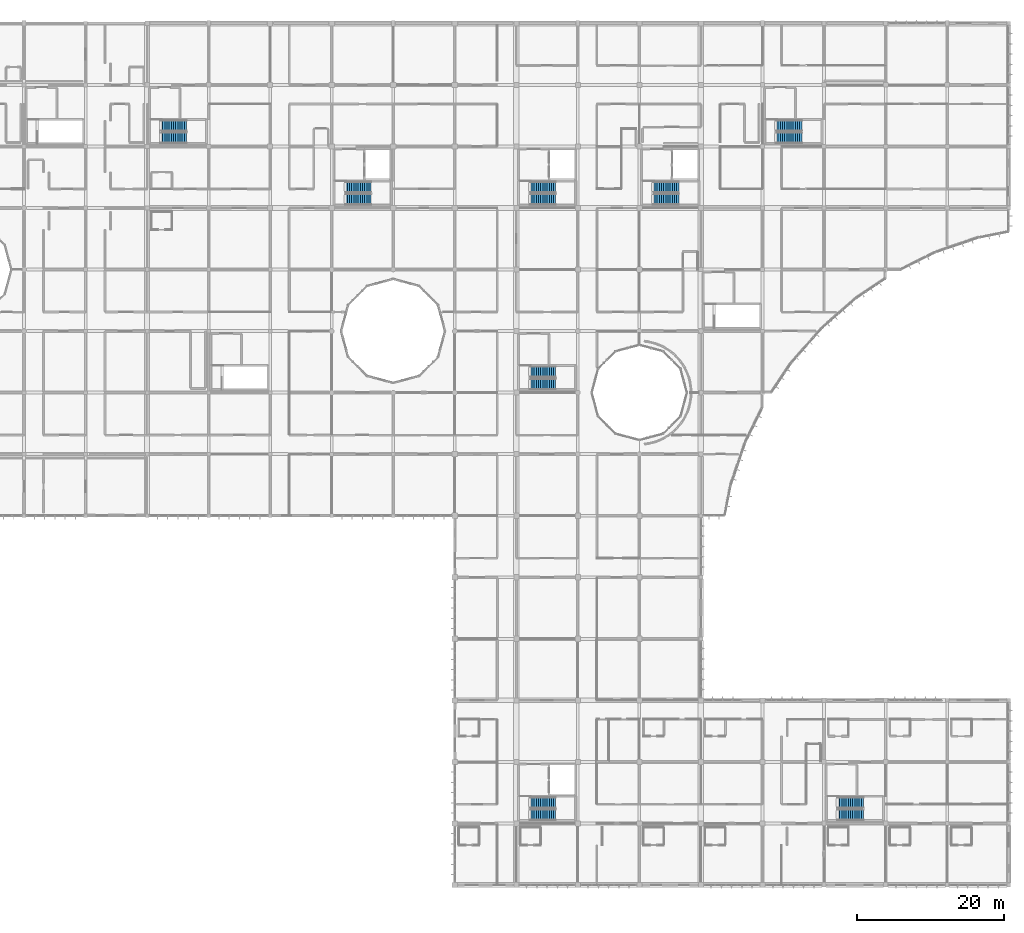
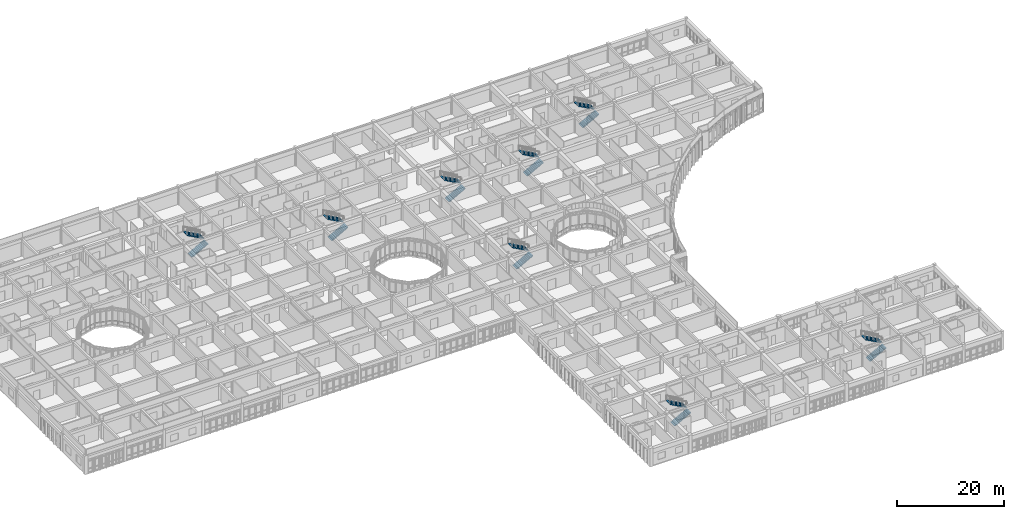
# One storey, part 101 of 119: 16 stair flights, 8 elements without a shape of their own.
"""IFC4 building model written with IfcOpenShell, lengths in metres."""

from ifc_helpers import new_model, si_unit, direction, frame, origin, place, context, subcontext, project, spatial, polyline, outline, extrude, material, type_object, element, aggregate, save


model = new_model("IFC4")

# Units and contexts
model_context = context("Model", 3, precision=1e-05, world=origin(), true_north=direction((0.0, 1.0)))
body_context = subcontext(model_context, "Body", "Model", "MODEL_VIEW")
ifc_project = project(units=[si_unit("LENGTHUNIT", "METRE"), si_unit("AREAUNIT", "SQUARE_METRE"), si_unit("VOLUMEUNIT", "CUBIC_METRE"), si_unit("PLANEANGLEUNIT", "RADIAN"), si_unit("MASSUNIT", "GRAM", prefix="KILO")], contexts=[model_context])

# Site, building, storey
site_placement = place(None, origin())
site = spatial("IfcSite", under=ifc_project, at=site_placement, CompositionType="ELEMENT")
building_placement = place(site_placement, origin())
building = spatial("IfcBuilding", under=site, at=building_placement, Name="Bramfleet General Hospital", CompositionType="ELEMENT")
storey_placement = place(building_placement, frame((0.0, 0.0, 14.39990234375)))
storey = spatial("IfcBuildingStorey", under=building, at=storey_placement, Name="L03", CompositionType="ELEMENT", Elevation=14.39990234375)

# Stair, stair flights
ifc_material = material(Name="Concrete C35/45", Category="concrete")
stair_type = type_object("IfcStairType", Name="STR-T3", PredefinedType="HALF_TURN_STAIR", material=ifc_material)
stair_1_placement = place(storey_placement, origin())
stair_1 = element("IfcStair", 1, at=stair_1_placement, inside=storey, type_object=stair_type, Name="L03 Core C3 (South Ward Wing) Protected Escape Stair", PredefinedType="HALF_TURN_STAIR")
stair_flight_type = type_object("IfcStairFlightType", Name="STF-T3", PredefinedType="STRAIGHT", material=ifc_material)
stair_flight_1_placement = place(storey_placement, frame((102.639892578125, 9.570068359375, 0.0), z_axis=(0.0, 0.0, 1.0), x_axis=(1.0, 0.0, 0.0)))
stair_flight_1 = element("IfcStairFlight", 2, at=stair_flight_1_placement, type_object=stair_flight_type, Name="ST-C3 flight 1", NumberOfRisers=13, NumberOfTreads=12, PredefinedType="STRAIGHT", RiserHeight=0.161538462, TreadLength=0.295, context=body_context, shape_type="SweptSolid", body=[
    extrude(outline(polyline([(0.0, 0.0), (0.0, 0.16162109375), (0.294921875, 0.16162109375), (0.294921875, 0.322998046875), (0.590087890625, 0.322998046875), (0.590087890625, 0.484619140625), (0.885009765625, 0.484619140625), (0.885009765625, 0.646240234375), (1.179931640625, 0.646240234375), (1.179931640625, 0.8076171875), (1.47509765625, 0.8076171875), (1.47509765625, 0.96923828125), (1.77001953125, 0.96923828125), (1.77001953125, 1.130859375), (2.06494140625, 1.130859375), (2.06494140625, 1.292236328125), (2.360107421875, 1.292236328125), (2.360107421875, 1.453857421875), (2.655029296875, 1.453857421875), (2.655029296875, 1.615478515625), (2.949951171875, 1.615478515625), (2.949951171875, 1.77685546875), (3.2451171875, 1.77685546875), (3.2451171875, 1.9384765625), (3.5400390625, 1.9384765625), (3.5400390625, 2.10009765625), (3.5400390625, 1.756103515625), (0.3330078125, 0.0), (0.0, 0.0)])), frame((0.0, 0.75, 0.0), z_axis=(0.0, -1.0, 0.0), x_axis=(1.0, 0.0, 0.0)), (0.0, 0.0, 1.0), 1.5),
])
stair_flight_2_placement = place(storey_placement, frame((106.179931640625, 11.22998046875, 2.10009765625), z_axis=(0.0, 0.0, 1.0), x_axis=(-1.0, 0.0, 0.0)))
stair_flight_2 = element("IfcStairFlight", 3, at=stair_flight_2_placement, type_object=stair_flight_type, Name="ST-C3 flight 2", NumberOfRisers=13, NumberOfTreads=12, PredefinedType="STRAIGHT", RiserHeight=0.161538462, TreadLength=0.295, context=body_context, shape_type="SweptSolid", body=[
    extrude(outline(polyline([(0.0, 0.0), (0.0, 0.16162109375), (0.294921875, 0.16162109375), (0.294921875, 0.322998046875), (0.590087890625, 0.322998046875), (0.590087890625, 0.484619140625), (0.885009765625, 0.484619140625), (0.885009765625, 0.646240234375), (1.179931640625, 0.646240234375), (1.179931640625, 0.8076171875), (1.47509765625, 0.8076171875), (1.47509765625, 0.96923828125), (1.77001953125, 0.96923828125), (1.77001953125, 1.130859375), (2.06494140625, 1.130859375), (2.06494140625, 1.292236328125), (2.360107421875, 1.292236328125), (2.360107421875, 1.453857421875), (2.655029296875, 1.453857421875), (2.655029296875, 1.615478515625), (2.949951171875, 1.615478515625), (2.949951171875, 1.77685546875), (3.2451171875, 1.77685546875), (3.2451171875, 1.9384765625), (3.5400390625, 1.9384765625), (3.5400390625, 2.10009765625), (3.5400390625, 1.756103515625), (0.3330078125, 0.0), (0.0, 0.0)])), frame((0.0, 0.75, 0.0), z_axis=(0.0, -1.0, 0.0), x_axis=(1.0, 0.0, 0.0)), (0.0, 0.0, 1.0), 1.5),
])
aggregate(stair_1, [stair_flight_1, stair_flight_2])

stair_2_placement = place(storey_placement, origin())
stair_2 = element("IfcStair", 4, at=stair_2_placement, inside=storey, type_object=stair_type, Name="L03 Core C4 (Central Spine & Helipad Trauma) Protected Escape Stair", PredefinedType="HALF_TURN_STAIR")
stair_flight_3_placement = place(storey_placement, frame((102.639892578125, 93.570068359375, 0.0), z_axis=(0.0, 0.0, 1.0), x_axis=(1.0, 0.0, 0.0)))
stair_flight_3 = element("IfcStairFlight", 5, at=stair_flight_3_placement, type_object=stair_flight_type, Name="ST-C4 flight 1", NumberOfRisers=13, NumberOfTreads=12, PredefinedType="STRAIGHT", RiserHeight=0.161538462, TreadLength=0.295, context=body_context, shape_type="SweptSolid", body=[
    extrude(outline(polyline([(0.0, 0.0), (0.0, 0.16162109375), (0.294921875, 0.16162109375), (0.294921875, 0.322998046875), (0.590087890625, 0.322998046875), (0.590087890625, 0.484619140625), (0.885009765625, 0.484619140625), (0.885009765625, 0.646240234375), (1.179931640625, 0.646240234375), (1.179931640625, 0.8076171875), (1.47509765625, 0.8076171875), (1.47509765625, 0.96923828125), (1.77001953125, 0.96923828125), (1.77001953125, 1.130859375), (2.06494140625, 1.130859375), (2.06494140625, 1.292236328125), (2.360107421875, 1.292236328125), (2.360107421875, 1.453857421875), (2.655029296875, 1.453857421875), (2.655029296875, 1.615478515625), (2.949951171875, 1.615478515625), (2.949951171875, 1.77685546875), (3.2451171875, 1.77685546875), (3.2451171875, 1.9384765625), (3.5400390625, 1.9384765625), (3.5400390625, 2.10009765625), (3.5400390625, 1.756103515625), (0.3330078125, 0.0), (0.0, 0.0)])), frame((0.0, 0.75, 0.0), z_axis=(0.0, -1.0, 0.0), x_axis=(1.0, 0.0, 0.0)), (0.0, 0.0, 1.0), 1.5),
])
stair_flight_4_placement = place(storey_placement, frame((106.179931640625, 95.22998046875, 2.10009765625), z_axis=(0.0, 0.0, 1.0), x_axis=(-1.0, 0.0, 0.0)))
stair_flight_4 = element("IfcStairFlight", 6, at=stair_flight_4_placement, type_object=stair_flight_type, Name="ST-C4 flight 2", NumberOfRisers=13, NumberOfTreads=12, PredefinedType="STRAIGHT", RiserHeight=0.161538462, TreadLength=0.295, context=body_context, shape_type="SweptSolid", body=[
    extrude(outline(polyline([(0.0, 0.0), (0.0, 0.16162109375), (0.294921875, 0.16162109375), (0.294921875, 0.322998046875), (0.590087890625, 0.322998046875), (0.590087890625, 0.484619140625), (0.885009765625, 0.484619140625), (0.885009765625, 0.646240234375), (1.179931640625, 0.646240234375), (1.179931640625, 0.8076171875), (1.47509765625, 0.8076171875), (1.47509765625, 0.96923828125), (1.77001953125, 0.96923828125), (1.77001953125, 1.130859375), (2.06494140625, 1.130859375), (2.06494140625, 1.292236328125), (2.360107421875, 1.292236328125), (2.360107421875, 1.453857421875), (2.655029296875, 1.453857421875), (2.655029296875, 1.615478515625), (2.949951171875, 1.615478515625), (2.949951171875, 1.77685546875), (3.2451171875, 1.77685546875), (3.2451171875, 1.9384765625), (3.5400390625, 1.9384765625), (3.5400390625, 2.10009765625), (3.5400390625, 1.756103515625), (0.3330078125, 0.0), (0.0, 0.0)])), frame((0.0, 0.75, 0.0), z_axis=(0.0, -1.0, 0.0), x_axis=(1.0, 0.0, 0.0)), (0.0, 0.0, 1.0), 1.5),
])
aggregate(stair_2, [stair_flight_3, stair_flight_4])

stair_3_placement = place(storey_placement, origin())
stair_3 = element("IfcStair", 7, at=stair_3_placement, inside=storey, type_object=stair_type, Name="L03 Core C5 (North-West Ward Wing) Protected Escape Stair", PredefinedType="HALF_TURN_STAIR")
stair_flight_5_placement = place(storey_placement, frame((77.43994140625, 93.570068359375, 0.0), z_axis=(0.0, 0.0, 1.0), x_axis=(1.0, 0.0, 0.0)))
stair_flight_5 = element("IfcStairFlight", 8, at=stair_flight_5_placement, type_object=stair_flight_type, Name="ST-C5 flight 1", NumberOfRisers=13, NumberOfTreads=12, PredefinedType="STRAIGHT", RiserHeight=0.161538462, TreadLength=0.295, context=body_context, shape_type="SweptSolid", body=[
    extrude(outline(polyline([(0.0, 0.0), (0.0, 0.16162109375), (0.294921875, 0.16162109375), (0.294921875, 0.322998046875), (0.590087890625, 0.322998046875), (0.590087890625, 0.484619140625), (0.885009765625, 0.484619140625), (0.885009765625, 0.646240234375), (1.179931640625, 0.646240234375), (1.179931640625, 0.8076171875), (1.47509765625, 0.8076171875), (1.47509765625, 0.96923828125), (1.77001953125, 0.96923828125), (1.77001953125, 1.130859375), (2.06494140625, 1.130859375), (2.06494140625, 1.292236328125), (2.360107421875, 1.292236328125), (2.360107421875, 1.453857421875), (2.655029296875, 1.453857421875), (2.655029296875, 1.615478515625), (2.949951171875, 1.615478515625), (2.949951171875, 1.77685546875), (3.2451171875, 1.77685546875), (3.2451171875, 1.9384765625), (3.5400390625, 1.9384765625), (3.5400390625, 2.10009765625), (3.5400390625, 1.756103515625), (0.3330078125, 0.0), (0.0, 0.0)])), frame((0.0, 0.75, 0.0), z_axis=(0.0, -1.0, 0.0), x_axis=(1.0, 0.0, 0.0)), (0.0, 0.0, 1.0), 1.5),
])
stair_flight_6_placement = place(storey_placement, frame((80.97998046875, 95.22998046875, 2.10009765625), z_axis=(0.0, 0.0, 1.0), x_axis=(-1.0, 0.0, 0.0)))
stair_flight_6 = element("IfcStairFlight", 9, at=stair_flight_6_placement, type_object=stair_flight_type, Name="ST-C5 flight 2", NumberOfRisers=13, NumberOfTreads=12, PredefinedType="STRAIGHT", RiserHeight=0.161538462, TreadLength=0.295, context=body_context, shape_type="SweptSolid", body=[
    extrude(outline(polyline([(0.0, 0.0), (0.0, 0.16162109375), (0.294921875, 0.16162109375), (0.294921875, 0.322998046875), (0.590087890625, 0.322998046875), (0.590087890625, 0.484619140625), (0.885009765625, 0.484619140625), (0.885009765625, 0.646240234375), (1.179931640625, 0.646240234375), (1.179931640625, 0.8076171875), (1.47509765625, 0.8076171875), (1.47509765625, 0.96923828125), (1.77001953125, 0.96923828125), (1.77001953125, 1.130859375), (2.06494140625, 1.130859375), (2.06494140625, 1.292236328125), (2.360107421875, 1.292236328125), (2.360107421875, 1.453857421875), (2.655029296875, 1.453857421875), (2.655029296875, 1.615478515625), (2.949951171875, 1.615478515625), (2.949951171875, 1.77685546875), (3.2451171875, 1.77685546875), (3.2451171875, 1.9384765625), (3.5400390625, 1.9384765625), (3.5400390625, 2.10009765625), (3.5400390625, 1.756103515625), (0.3330078125, 0.0), (0.0, 0.0)])), frame((0.0, 0.75, 0.0), z_axis=(0.0, -1.0, 0.0), x_axis=(1.0, 0.0, 0.0)), (0.0, 0.0, 1.0), 1.5),
])
aggregate(stair_3, [stair_flight_5, stair_flight_6])

stair_4_placement = place(storey_placement, origin())
stair_4 = element("IfcStair", 10, at=stair_4_placement, inside=storey, type_object=stair_type, Name="L03 Core C6 (North-East Ward & Helipad) Protected Escape Stair", PredefinedType="HALF_TURN_STAIR")
stair_flight_7_placement = place(storey_placement, frame((119.43994140625, 93.570068359375, 0.0), z_axis=(0.0, 0.0, 1.0), x_axis=(1.0, 0.0, 0.0)))
stair_flight_7 = element("IfcStairFlight", 11, at=stair_flight_7_placement, type_object=stair_flight_type, Name="ST-C6 flight 1", NumberOfRisers=13, NumberOfTreads=12, PredefinedType="STRAIGHT", RiserHeight=0.161538462, TreadLength=0.295, context=body_context, shape_type="SweptSolid", body=[
    extrude(outline(polyline([(0.0, 0.0), (0.0, 0.16162109375), (0.294921875, 0.16162109375), (0.294921875, 0.322998046875), (0.590087890625, 0.322998046875), (0.590087890625, 0.484619140625), (0.885009765625, 0.484619140625), (0.885009765625, 0.646240234375), (1.179931640625, 0.646240234375), (1.179931640625, 0.8076171875), (1.47509765625, 0.8076171875), (1.47509765625, 0.96923828125), (1.77001953125, 0.96923828125), (1.77001953125, 1.130859375), (2.06494140625, 1.130859375), (2.06494140625, 1.292236328125), (2.360107421875, 1.292236328125), (2.360107421875, 1.453857421875), (2.655029296875, 1.453857421875), (2.655029296875, 1.615478515625), (2.949951171875, 1.615478515625), (2.949951171875, 1.77685546875), (3.2451171875, 1.77685546875), (3.2451171875, 1.9384765625), (3.5400390625, 1.9384765625), (3.5400390625, 2.10009765625), (3.5400390625, 1.756103515625), (0.3330078125, 0.0), (0.0, 0.0)])), frame((0.0, 0.75, 0.0), z_axis=(0.0, -1.0, 0.0), x_axis=(1.0, 0.0, 0.0)), (0.0, 0.0, 1.0), 1.5),
])
stair_flight_8_placement = place(storey_placement, frame((122.97998046875, 95.22998046875, 2.10009765625), z_axis=(0.0, 0.0, 1.0), x_axis=(-1.0, 0.0, 0.0)))
stair_flight_8 = element("IfcStairFlight", 12, at=stair_flight_8_placement, type_object=stair_flight_type, Name="ST-C6 flight 2", NumberOfRisers=13, NumberOfTreads=12, PredefinedType="STRAIGHT", RiserHeight=0.161538462, TreadLength=0.295, context=body_context, shape_type="SweptSolid", body=[
    extrude(outline(polyline([(0.0, 0.0), (0.0, 0.16162109375), (0.294921875, 0.16162109375), (0.294921875, 0.322998046875), (0.590087890625, 0.322998046875), (0.590087890625, 0.484619140625), (0.885009765625, 0.484619140625), (0.885009765625, 0.646240234375), (1.179931640625, 0.646240234375), (1.179931640625, 0.8076171875), (1.47509765625, 0.8076171875), (1.47509765625, 0.96923828125), (1.77001953125, 0.96923828125), (1.77001953125, 1.130859375), (2.06494140625, 1.130859375), (2.06494140625, 1.292236328125), (2.360107421875, 1.292236328125), (2.360107421875, 1.453857421875), (2.655029296875, 1.453857421875), (2.655029296875, 1.615478515625), (2.949951171875, 1.615478515625), (2.949951171875, 1.77685546875), (3.2451171875, 1.77685546875), (3.2451171875, 1.9384765625), (3.5400390625, 1.9384765625), (3.5400390625, 2.10009765625), (3.5400390625, 1.756103515625), (0.3330078125, 0.0), (0.0, 0.0)])), frame((0.0, 0.75, 0.0), z_axis=(0.0, -1.0, 0.0), x_axis=(1.0, 0.0, 0.0)), (0.0, 0.0, 1.0), 1.5),
])
aggregate(stair_4, [stair_flight_7, stair_flight_8])

stair_5_placement = place(storey_placement, origin())
stair_5 = element("IfcStair", 13, at=stair_5_placement, inside=storey, type_object=stair_type, Name="L03 Core C9 (North-East Ward & Diagnostic Escape) Protected Escape Stair", PredefinedType="HALF_TURN_STAIR")
stair_flight_9_placement = place(storey_placement, frame((136.239990234375, 101.969970703125, 0.0), z_axis=(0.0, 0.0, 1.0), x_axis=(1.0, 0.0, 0.0)))
stair_flight_9 = element("IfcStairFlight", 14, at=stair_flight_9_placement, type_object=stair_flight_type, Name="ST-C9 flight 1", NumberOfRisers=13, NumberOfTreads=12, PredefinedType="STRAIGHT", RiserHeight=0.161538462, TreadLength=0.295, context=body_context, shape_type="SweptSolid", body=[
    extrude(outline(polyline([(0.0, 0.0), (0.0, 0.16162109375), (0.294921875, 0.16162109375), (0.294921875, 0.322998046875), (0.590087890625, 0.322998046875), (0.590087890625, 0.484619140625), (0.885009765625, 0.484619140625), (0.885009765625, 0.646240234375), (1.179931640625, 0.646240234375), (1.179931640625, 0.8076171875), (1.47509765625, 0.8076171875), (1.47509765625, 0.96923828125), (1.77001953125, 0.96923828125), (1.77001953125, 1.130859375), (2.06494140625, 1.130859375), (2.06494140625, 1.292236328125), (2.360107421875, 1.292236328125), (2.360107421875, 1.453857421875), (2.655029296875, 1.453857421875), (2.655029296875, 1.615478515625), (2.949951171875, 1.615478515625), (2.949951171875, 1.77685546875), (3.2451171875, 1.77685546875), (3.2451171875, 1.9384765625), (3.5400390625, 1.9384765625), (3.5400390625, 2.10009765625), (3.5400390625, 1.756103515625), (0.3330078125, 0.0), (0.0, 0.0)])), frame((0.0, 0.75, 0.0), z_axis=(0.0, -1.0, 0.0), x_axis=(1.0, 0.0, 0.0)), (0.0, 0.0, 1.0), 1.5),
])
stair_flight_10_placement = place(storey_placement, frame((139.780029296875, 103.6298828125, 2.10009765625), z_axis=(0.0, 0.0, 1.0), x_axis=(-1.0, 0.0, 0.0)))
stair_flight_10 = element("IfcStairFlight", 15, at=stair_flight_10_placement, type_object=stair_flight_type, Name="ST-C9 flight 2", NumberOfRisers=13, NumberOfTreads=12, PredefinedType="STRAIGHT", RiserHeight=0.161538462, TreadLength=0.295, context=body_context, shape_type="SweptSolid", body=[
    extrude(outline(polyline([(0.0, 0.0), (0.0, 0.16162109375), (0.294921875, 0.16162109375), (0.294921875, 0.322998046875), (0.590087890625, 0.322998046875), (0.590087890625, 0.484619140625), (0.885009765625, 0.484619140625), (0.885009765625, 0.646240234375), (1.179931640625, 0.646240234375), (1.179931640625, 0.8076171875), (1.47509765625, 0.8076171875), (1.47509765625, 0.96923828125), (1.77001953125, 0.96923828125), (1.77001953125, 1.130859375), (2.06494140625, 1.130859375), (2.06494140625, 1.292236328125), (2.360107421875, 1.292236328125), (2.360107421875, 1.453857421875), (2.655029296875, 1.453857421875), (2.655029296875, 1.615478515625), (2.949951171875, 1.615478515625), (2.949951171875, 1.77685546875), (3.2451171875, 1.77685546875), (3.2451171875, 1.9384765625), (3.5400390625, 1.9384765625), (3.5400390625, 2.10009765625), (3.5400390625, 1.756103515625), (0.3330078125, 0.0), (0.0, 0.0)])), frame((0.0, 0.75, 0.0), z_axis=(0.0, -1.0, 0.0), x_axis=(1.0, 0.0, 0.0)), (0.0, 0.0, 1.0), 1.5),
])
aggregate(stair_5, [stair_flight_9, stair_flight_10])

stair_6_placement = place(storey_placement, origin())
stair_6 = element("IfcStair", 16, at=stair_6_placement, inside=storey, type_object=stair_type, Name="L03 Core C10 (South-East Clinic & Ward Escape) Protected Escape Stair", PredefinedType="HALF_TURN_STAIR")
stair_flight_11_placement = place(storey_placement, frame((144.639892578125, 9.570068359375, 0.0), z_axis=(0.0, 0.0, 1.0), x_axis=(1.0, 0.0, 0.0)))
stair_flight_11 = element("IfcStairFlight", 17, at=stair_flight_11_placement, type_object=stair_flight_type, Name="ST-C10 flight 1", NumberOfRisers=13, NumberOfTreads=12, PredefinedType="STRAIGHT", RiserHeight=0.161538462, TreadLength=0.295, context=body_context, shape_type="SweptSolid", body=[
    extrude(outline(polyline([(0.0, 0.0), (0.0, 0.16162109375), (0.294921875, 0.16162109375), (0.294921875, 0.322998046875), (0.590087890625, 0.322998046875), (0.590087890625, 0.484619140625), (0.885009765625, 0.484619140625), (0.885009765625, 0.646240234375), (1.179931640625, 0.646240234375), (1.179931640625, 0.8076171875), (1.47509765625, 0.8076171875), (1.47509765625, 0.96923828125), (1.77001953125, 0.96923828125), (1.77001953125, 1.130859375), (2.06494140625, 1.130859375), (2.06494140625, 1.292236328125), (2.360107421875, 1.292236328125), (2.360107421875, 1.453857421875), (2.655029296875, 1.453857421875), (2.655029296875, 1.615478515625), (2.949951171875, 1.615478515625), (2.949951171875, 1.77685546875), (3.2451171875, 1.77685546875), (3.2451171875, 1.9384765625), (3.5400390625, 1.9384765625), (3.5400390625, 2.10009765625), (3.5400390625, 1.756103515625), (0.3330078125, 0.0), (0.0, 0.0)])), frame((0.0, 0.75, 0.0), z_axis=(0.0, -1.0, 0.0), x_axis=(1.0, 0.0, 0.0)), (0.0, 0.0, 1.0), 1.5),
])
stair_flight_12_placement = place(storey_placement, frame((148.179931640625, 11.22998046875, 2.10009765625), z_axis=(0.0, 0.0, 1.0), x_axis=(-1.0, 0.0, 0.0)))
stair_flight_12 = element("IfcStairFlight", 18, at=stair_flight_12_placement, type_object=stair_flight_type, Name="ST-C10 flight 2", NumberOfRisers=13, NumberOfTreads=12, PredefinedType="STRAIGHT", RiserHeight=0.161538462, TreadLength=0.295, context=body_context, shape_type="SweptSolid", body=[
    extrude(outline(polyline([(0.0, 0.0), (0.0, 0.16162109375), (0.294921875, 0.16162109375), (0.294921875, 0.322998046875), (0.590087890625, 0.322998046875), (0.590087890625, 0.484619140625), (0.885009765625, 0.484619140625), (0.885009765625, 0.646240234375), (1.179931640625, 0.646240234375), (1.179931640625, 0.8076171875), (1.47509765625, 0.8076171875), (1.47509765625, 0.96923828125), (1.77001953125, 0.96923828125), (1.77001953125, 1.130859375), (2.06494140625, 1.130859375), (2.06494140625, 1.292236328125), (2.360107421875, 1.292236328125), (2.360107421875, 1.453857421875), (2.655029296875, 1.453857421875), (2.655029296875, 1.615478515625), (2.949951171875, 1.615478515625), (2.949951171875, 1.77685546875), (3.2451171875, 1.77685546875), (3.2451171875, 1.9384765625), (3.5400390625, 1.9384765625), (3.5400390625, 2.10009765625), (3.5400390625, 1.756103515625), (0.3330078125, 0.0), (0.0, 0.0)])), frame((0.0, 0.75, 0.0), z_axis=(0.0, -1.0, 0.0), x_axis=(1.0, 0.0, 0.0)), (0.0, 0.0, 1.0), 1.5),
])
aggregate(stair_6, [stair_flight_11, stair_flight_12])

stair_7_placement = place(storey_placement, origin())
stair_7 = element("IfcStair", 19, at=stair_7_placement, inside=storey, type_object=stair_type, Name="L03 Core C11 (Central Spine Escape) Protected Escape Stair", PredefinedType="HALF_TURN_STAIR")
stair_flight_13_placement = place(storey_placement, frame((102.639892578125, 68.3701171875, 0.0), z_axis=(0.0, 0.0, 1.0), x_axis=(1.0, 0.0, 0.0)))
stair_flight_13 = element("IfcStairFlight", 20, at=stair_flight_13_placement, type_object=stair_flight_type, Name="ST-C11 flight 1", NumberOfRisers=13, NumberOfTreads=12, PredefinedType="STRAIGHT", RiserHeight=0.161538462, TreadLength=0.295, context=body_context, shape_type="SweptSolid", body=[
    extrude(outline(polyline([(0.0, 0.0), (0.0, 0.16162109375), (0.294921875, 0.16162109375), (0.294921875, 0.322998046875), (0.590087890625, 0.322998046875), (0.590087890625, 0.484619140625), (0.885009765625, 0.484619140625), (0.885009765625, 0.646240234375), (1.179931640625, 0.646240234375), (1.179931640625, 0.8076171875), (1.47509765625, 0.8076171875), (1.47509765625, 0.96923828125), (1.77001953125, 0.96923828125), (1.77001953125, 1.130859375), (2.06494140625, 1.130859375), (2.06494140625, 1.292236328125), (2.360107421875, 1.292236328125), (2.360107421875, 1.453857421875), (2.655029296875, 1.453857421875), (2.655029296875, 1.615478515625), (2.949951171875, 1.615478515625), (2.949951171875, 1.77685546875), (3.2451171875, 1.77685546875), (3.2451171875, 1.9384765625), (3.5400390625, 1.9384765625), (3.5400390625, 2.10009765625), (3.5400390625, 1.756103515625), (0.3330078125, 0.0), (0.0, 0.0)])), frame((0.0, 0.75, 0.0), z_axis=(0.0, -1.0, 0.0), x_axis=(1.0, 0.0, 0.0)), (0.0, 0.0, 1.0), 1.5),
])
stair_flight_14_placement = place(storey_placement, frame((106.179931640625, 70.030029296875, 2.10009765625), z_axis=(0.0, 0.0, 1.0), x_axis=(-1.0, 0.0, 0.0)))
stair_flight_14 = element("IfcStairFlight", 21, at=stair_flight_14_placement, type_object=stair_flight_type, Name="ST-C11 flight 2", NumberOfRisers=13, NumberOfTreads=12, PredefinedType="STRAIGHT", RiserHeight=0.161538462, TreadLength=0.295, context=body_context, shape_type="SweptSolid", body=[
    extrude(outline(polyline([(0.0, 0.0), (0.0, 0.16162109375), (0.294921875, 0.16162109375), (0.294921875, 0.322998046875), (0.590087890625, 0.322998046875), (0.590087890625, 0.484619140625), (0.885009765625, 0.484619140625), (0.885009765625, 0.646240234375), (1.179931640625, 0.646240234375), (1.179931640625, 0.8076171875), (1.47509765625, 0.8076171875), (1.47509765625, 0.96923828125), (1.77001953125, 0.96923828125), (1.77001953125, 1.130859375), (2.06494140625, 1.130859375), (2.06494140625, 1.292236328125), (2.360107421875, 1.292236328125), (2.360107421875, 1.453857421875), (2.655029296875, 1.453857421875), (2.655029296875, 1.615478515625), (2.949951171875, 1.615478515625), (2.949951171875, 1.77685546875), (3.2451171875, 1.77685546875), (3.2451171875, 1.9384765625), (3.5400390625, 1.9384765625), (3.5400390625, 2.10009765625), (3.5400390625, 1.756103515625), (0.3330078125, 0.0), (0.0, 0.0)])), frame((0.0, 0.75, 0.0), z_axis=(0.0, -1.0, 0.0), x_axis=(1.0, 0.0, 0.0)), (0.0, 0.0, 1.0), 1.5),
])
aggregate(stair_7, [stair_flight_13, stair_flight_14])

stair_8_placement = place(storey_placement, origin())
stair_8 = element("IfcStair", 22, at=stair_8_placement, inside=storey, type_object=stair_type, Name="L03 Core C14 (West Ward Wing Escape) Protected Escape Stair", PredefinedType="HALF_TURN_STAIR")
stair_flight_15_placement = place(storey_placement, frame((52.239990234375, 101.969970703125, 0.0), z_axis=(0.0, 0.0, 1.0), x_axis=(1.0, 0.0, 0.0)))
stair_flight_15 = element("IfcStairFlight", 23, at=stair_flight_15_placement, type_object=stair_flight_type, Name="ST-C14 flight 1", NumberOfRisers=13, NumberOfTreads=12, PredefinedType="STRAIGHT", RiserHeight=0.161538462, TreadLength=0.295, context=body_context, shape_type="SweptSolid", body=[
    extrude(outline(polyline([(0.0, 0.0), (0.0, 0.16162109375), (0.294921875, 0.16162109375), (0.294921875, 0.322998046875), (0.590087890625, 0.322998046875), (0.590087890625, 0.484619140625), (0.885009765625, 0.484619140625), (0.885009765625, 0.646240234375), (1.179931640625, 0.646240234375), (1.179931640625, 0.8076171875), (1.47509765625, 0.8076171875), (1.47509765625, 0.96923828125), (1.77001953125, 0.96923828125), (1.77001953125, 1.130859375), (2.06494140625, 1.130859375), (2.06494140625, 1.292236328125), (2.360107421875, 1.292236328125), (2.360107421875, 1.453857421875), (2.655029296875, 1.453857421875), (2.655029296875, 1.615478515625), (2.949951171875, 1.615478515625), (2.949951171875, 1.77685546875), (3.2451171875, 1.77685546875), (3.2451171875, 1.9384765625), (3.5400390625, 1.9384765625), (3.5400390625, 2.10009765625), (3.5400390625, 1.756103515625), (0.3330078125, 0.0), (0.0, 0.0)])), frame((0.0, 0.75, 0.0), z_axis=(0.0, -1.0, 0.0), x_axis=(1.0, 0.0, 0.0)), (0.0, 0.0, 1.0), 1.5),
])
stair_flight_16_placement = place(storey_placement, frame((55.780029296875, 103.6298828125, 2.10009765625), z_axis=(0.0, 0.0, 1.0), x_axis=(-1.0, 0.0, 0.0)))
stair_flight_16 = element("IfcStairFlight", 24, at=stair_flight_16_placement, type_object=stair_flight_type, Name="ST-C14 flight 2", NumberOfRisers=13, NumberOfTreads=12, PredefinedType="STRAIGHT", RiserHeight=0.161538462, TreadLength=0.295, context=body_context, shape_type="SweptSolid", body=[
    extrude(outline(polyline([(0.0, 0.0), (0.0, 0.16162109375), (0.294921875, 0.16162109375), (0.294921875, 0.322998046875), (0.590087890625, 0.322998046875), (0.590087890625, 0.484619140625), (0.885009765625, 0.484619140625), (0.885009765625, 0.646240234375), (1.179931640625, 0.646240234375), (1.179931640625, 0.8076171875), (1.47509765625, 0.8076171875), (1.47509765625, 0.96923828125), (1.77001953125, 0.96923828125), (1.77001953125, 1.130859375), (2.06494140625, 1.130859375), (2.06494140625, 1.292236328125), (2.360107421875, 1.292236328125), (2.360107421875, 1.453857421875), (2.655029296875, 1.453857421875), (2.655029296875, 1.615478515625), (2.949951171875, 1.615478515625), (2.949951171875, 1.77685546875), (3.2451171875, 1.77685546875), (3.2451171875, 1.9384765625), (3.5400390625, 1.9384765625), (3.5400390625, 2.10009765625), (3.5400390625, 1.756103515625), (0.3330078125, 0.0), (0.0, 0.0)])), frame((0.0, 0.75, 0.0), z_axis=(0.0, -1.0, 0.0), x_axis=(1.0, 0.0, 0.0)), (0.0, 0.0, 1.0), 1.5),
])
aggregate(stair_8, [stair_flight_15, stair_flight_16])

save(model, "model.ifc")
